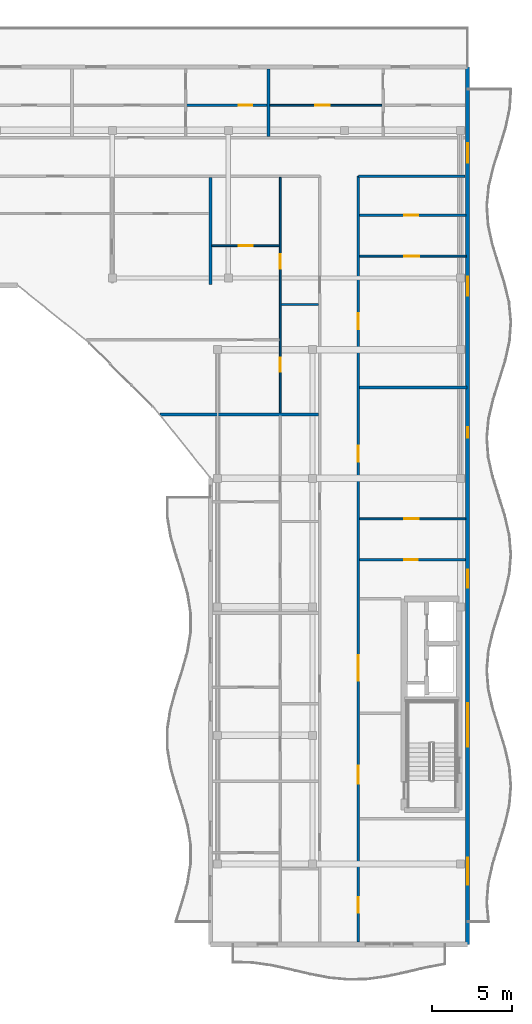
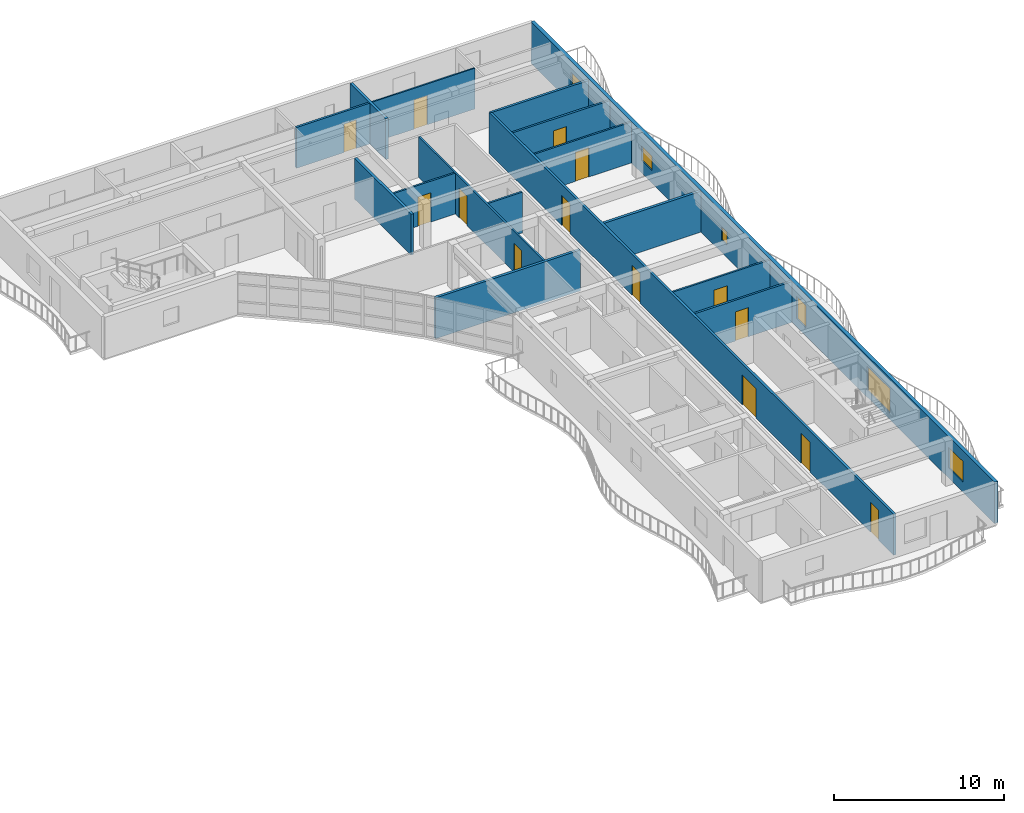
# One storey, part 27 of 39: 16 walls, 15 doors, 5 windows, 20 openings.
"""IFC4 building model written with IfcOpenShell, lengths in metres."""

from ifc_helpers import new_model, si_unit, direction, frame, frame_2d, origin, place, context, subcontext, project, spatial, rectangle, extrude, material, layer, layer_set, type_object, element, fill, save


model = new_model("IFC4")

# Units and contexts
model_context = context("Model", 3, precision=1e-05, world=origin(), true_north=direction((0.0, 1.0)))
body_context = subcontext(model_context, "Body", "Model", "MODEL_VIEW")
ifc_project = project(units=[si_unit("LENGTHUNIT", "METRE"), si_unit("AREAUNIT", "SQUARE_METRE"), si_unit("VOLUMEUNIT", "CUBIC_METRE"), si_unit("PLANEANGLEUNIT", "RADIAN"), si_unit("MASSUNIT", "GRAM", prefix="KILO")], contexts=[model_context])

# Site, building, storey
site_placement = place(None, origin())
site = spatial("IfcSite", under=ifc_project, at=site_placement, CompositionType="ELEMENT")
building_placement = place(site_placement, origin())
building = spatial("IfcBuilding", under=site, at=building_placement, Name="Keldmere Railside Commons", CompositionType="ELEMENT")
storey_placement = place(building_placement, frame((0.0, 0.0, 32.9599609375)))
storey = spatial("IfcBuildingStorey", under=building, at=storey_placement, Name="L10", CompositionType="ELEMENT", Elevation=32.9599609375)

# Walls
ifc_material_1 = material(Name="Acoustic Gypsum Board Partition", Category="gypsum")
ifc_layer_1 = layer(ifc_material_1, 0.179931640625, Name="Acoustic Demising Partition 180")
ifc_layer_set_1 = layer_set([ifc_layer_1], Name="Acoustic Gypsum Board Partition")
wall_type_1 = type_object("IfcWallType", Name="Acoustic Demising Partition 180", PredefinedType="PARTITIONING", material=ifc_layer_set_1)
wall_1_placement = place(storey_placement, frame((168.0, 100.050048828125, 0.0), z_axis=(0.0, 0.0, 1.0), x_axis=(0.0, 1.0, 0.0)))
element("IfcWall", 1, at=wall_1_placement, inside=storey, type_object=wall_type_1, Name="IW-1 IW-L10-1812", PredefinedType="PARTITIONING", context=body_context, shape_type="SweptSolid", body=[
    extrude(rectangle(XDim=6.669921875, YDim=0.179931640625, at=frame_2d((3.3349609375, 0.0))), origin(), (0.0, 0.0, 1.0), 2.93505859375),
])
wall_2_placement = place(storey_placement, frame((164.8583984375, 91.97998046875, 0.0), z_axis=(0.0, 0.0, 1.0), x_axis=(1.0, 0.0, 0.0)))
element("IfcWall", 2, at=wall_2_placement, inside=storey, type_object=wall_type_1, Name="IW-1 IW-L10-1817", PredefinedType="PARTITIONING", context=body_context, shape_type="SweptSolid", body=[
    extrude(rectangle(XDim=9.861572265625, YDim=0.179931640625, at=frame_2d((4.9306640625, 0.0))), origin(), (0.0, 0.0, 1.0), 2.93505859375),
])
wall_3_placement = place(storey_placement, frame((171.610107421875, 109.280029296875, 0.0), z_axis=(0.0, 0.0, 1.0), x_axis=(0.0, 1.0, 0.0)))
element("IfcWall", 3, at=wall_3_placement, inside=storey, type_object=wall_type_1, Name="IW-1 IW-L10-1832", PredefinedType="PARTITIONING", context=body_context, shape_type="SweptSolid", body=[
    extrude(rectangle(XDim=4.199951171875, YDim=0.179931640625, at=frame_2d((2.10009765625, 0.0))), origin(), (0.0, 0.0, 1.0), 2.93505859375),
])
wall_4_placement = place(storey_placement, frame((177.280029296875, 93.64990234375, 0.0), z_axis=(0.0, 0.0, 1.0), x_axis=(1.0, 0.0, 0.0)))
element("IfcWall", 4, at=wall_4_placement, inside=storey, type_object=wall_type_1, Name="IW-1 IW-L10-1845", PredefinedType="PARTITIONING", context=body_context, shape_type="SweptSolid", body=[
    extrude(rectangle(XDim=6.679931640625, YDim=0.179931640625, at=frame_2d((3.33984375, 0.0))), origin(), (0.0, 0.0, 1.0), 2.93505859375),
])

# Wall, openings, doors
ifc_layer_2 = layer(ifc_material_1, 0.1201171875, Name="Apartment Interior Partition 120")
ifc_layer_set_2 = layer_set([ifc_layer_2], Name="Acoustic Gypsum Board Partition")
wall_type_2 = type_object("IfcWallType", Name="Apartment Interior Partition 120", PredefinedType="PARTITIONING", material=ifc_layer_set_2)
wall_5_placement = place(storey_placement, frame((172.340087890625, 92.070068359375, 0.0), z_axis=(0.0, 0.0, 1.0), x_axis=(0.0, 1.0, 0.0)))
wall_5 = element("IfcWall", 5, at=wall_5_placement, inside=storey, type_object=wall_type_2, Name="IW-4 IW-L10-1827", PredefinedType="PARTITIONING", context=body_context, shape_type="SweptSolid", body=[
    extrude(rectangle(XDim=14.64990234375, YDim=0.1201171875, at=frame_2d((7.324951171875, 0.0))), origin(), (0.0, 0.0, 1.0), 2.93505859375),
])
opening_1_placement = place(wall_5_placement, frame((2.561279296875, 0.0, 0.0)))
opening_1 = element("IfcOpeningElement", 6, at=opening_1_placement, cuts=wall_5, Name="Opening ID-04", PredefinedType="OPENING", context=body_context, shape_type="SweptSolid", body=[
    extrude(rectangle(XDim=0.860107421875, YDim=2.10009765625, at=frame_2d((0.43017578125, 1.050048828125))), frame((0.0, 0.070068359375, 0.0), z_axis=(0.0, -1.0, 0.0), x_axis=(1.0, 0.0, 0.0)), (0.0, 0.0, 1.0), 0.14013671875),
])
opening_2_placement = place(wall_5_placement, frame((8.954833984375, 0.0, 0.0)))
opening_2 = element("IfcOpeningElement", 7, at=opening_2_placement, cuts=wall_5, Name="Opening ID-03", PredefinedType="OPENING", context=body_context, shape_type="SweptSolid", body=[
    extrude(rectangle(XDim=0.919921875, YDim=2.10009765625, at=frame_2d((0.4599609375, 1.050048828125))), frame((0.0, 0.070068359375, 0.0), z_axis=(0.0, -1.0, 0.0), x_axis=(1.0, 0.0, 0.0)), (0.0, 0.0, 1.0), 0.14013671875),
])
ifc_material_2 = material(Name="Engineered Oak Timber", Category="wood")
door_type_1 = type_object("IfcDoorType", Name="Apartment Bathroom Door 860x2100", OperationType="NOTDEFINED", PredefinedType="DOOR", material=ifc_material_2)
door_1_placement = place(opening_1_placement, origin())
door_1 = element("IfcDoor", 8, at=door_1_placement, inside=storey, type_object=door_type_1, Name="ID-04 IDR-L10-1668", OperationType="SINGLE_SWING_RIGHT", OverallHeight=2.10009765625, OverallWidth=0.860107421875, PredefinedType="DOOR", context=body_context, shape_type="SweptSolid", body=[
    extrude(rectangle(XDim=0.860107421875, YDim=2.10009765625, at=frame_2d((0.43017578125, 1.050048828125))), frame((0.0, 0.02490234375, 0.0), z_axis=(0.0, -1.0, 0.0), x_axis=(1.0, 0.0, 0.0)), (0.0, 0.0, 1.0), 0.050048828125),
])
fill(opening_1, door_1)
door_type_2 = type_object("IfcDoorType", Name="Kitchen Pocket-Frame Swing Door 920x2100", OperationType="NOTDEFINED", PredefinedType="DOOR", material=ifc_material_2)
door_2_placement = place(opening_2_placement, origin())
door_2 = element("IfcDoor", 9, at=door_2_placement, inside=storey, type_object=door_type_2, Name="ID-03 IDR-L10-1669", OperationType="SINGLE_SWING_LEFT", OverallHeight=2.10009765625, OverallWidth=0.919921875, PredefinedType="DOOR", context=body_context, shape_type="SweptSolid", body=[
    extrude(rectangle(XDim=0.919921875, YDim=2.10009765625, at=frame_2d((0.4599609375, 1.050048828125))), frame((0.0, 0.02490234375, 0.0), z_axis=(0.0, -1.0, 0.0), x_axis=(1.0, 0.0, 0.0)), (0.0, 0.0, 1.0), 0.050048828125),
])
fill(opening_2, door_2)

# Wall, opening, door
wall_6_placement = place(storey_placement, frame((168.090087890625, 102.469970703125, 0.0), z_axis=(0.0, 0.0, 1.0), x_axis=(1.0, 0.0, 0.0)))
wall_6 = element("IfcWall", 10, at=wall_6_placement, inside=storey, type_object=wall_type_2, Name="IW-4 IW-L10-1830", PredefinedType="PARTITIONING", context=body_context, shape_type="SweptSolid", body=[
    extrude(rectangle(XDim=4.18994140625, YDim=0.1201171875, at=frame_2d((2.094970703125, 0.0))), origin(), (0.0, 0.0, 1.0), 2.93505859375),
])
opening_3_placement = place(wall_6_placement, frame((1.655029296875, 0.0, 0.0)))
opening_3 = element("IfcOpeningElement", 11, at=opening_3_placement, cuts=wall_6, Name="Opening ID-02", PredefinedType="OPENING", context=body_context, shape_type="SweptSolid", body=[
    extrude(rectangle(XDim=0.8798828125, YDim=2.10009765625, at=frame_2d((0.43994140625, 1.050048828125))), frame((0.0, 0.070068359375, 0.0), z_axis=(0.0, -1.0, 0.0), x_axis=(1.0, 0.0, 0.0)), (0.0, 0.0, 1.0), 0.14013671875),
])
door_type_3 = type_object("IfcDoorType", Name="Secondary Bedroom Door 880x2100", OperationType="NOTDEFINED", PredefinedType="DOOR", material=ifc_material_2)
door_3_placement = place(opening_3_placement, origin())
door_3 = element("IfcDoor", 12, at=door_3_placement, inside=storey, type_object=door_type_3, Name="ID-02 IDR-L10-1672", OperationType="SINGLE_SWING_RIGHT", OverallHeight=2.10009765625, OverallWidth=0.8798828125, PredefinedType="DOOR", context=body_context, shape_type="SweptSolid", body=[
    extrude(rectangle(XDim=0.8798828125, YDim=2.10009765625, at=frame_2d((0.43994140625, 1.050048828125))), frame((0.0, 0.02490234375, 0.0), z_axis=(0.0, -1.0, 0.0), x_axis=(1.0, 0.0, 0.0)), (0.0, 0.0, 1.0), 0.050048828125),
])
fill(opening_3, door_3)

wall_7_placement = place(storey_placement, frame((177.280029296875, 85.47998046875, 0.0), z_axis=(0.0, 0.0, 1.0), x_axis=(1.0, 0.0, 0.0)))
wall_7 = element("IfcWall", 13, at=wall_7_placement, inside=storey, type_object=wall_type_2, Name="IW-4 IW-L10-1847", PredefinedType="PARTITIONING", context=body_context, shape_type="SweptSolid", body=[
    extrude(rectangle(XDim=6.599853515625, YDim=0.1201171875, at=frame_2d((3.2998046875, 0.0))), origin(), (0.0, 0.0, 1.0), 2.93505859375),
])
opening_4_placement = place(wall_7_placement, frame((2.77197265625, 0.0, 0.0)))
opening_4 = element("IfcOpeningElement", 14, at=opening_4_placement, cuts=wall_7, Name="Opening ID-03", PredefinedType="OPENING", context=body_context, shape_type="SweptSolid", body=[
    extrude(rectangle(XDim=0.919921875, YDim=2.10009765625, at=frame_2d((0.4599609375, 1.050048828125))), frame((0.0, 0.070068359375, 0.0), z_axis=(0.0, -1.0, 0.0), x_axis=(1.0, 0.0, 0.0)), (0.0, 0.0, 1.0), 0.14013671875),
])
door_4_placement = place(opening_4_placement, origin())
door_4 = element("IfcDoor", 15, at=door_4_placement, inside=storey, type_object=door_type_2, Name="ID-03 IDR-L10-1693", OperationType="SINGLE_SWING_LEFT", OverallHeight=2.10009765625, OverallWidth=0.919921875, PredefinedType="DOOR", context=body_context, shape_type="SweptSolid", body=[
    extrude(rectangle(XDim=0.919921875, YDim=2.10009765625, at=frame_2d((0.4599609375, 1.050048828125))), frame((0.0, 0.02490234375, 0.0), z_axis=(0.0, -1.0, 0.0), x_axis=(1.0, 0.0, 0.0)), (0.0, 0.0, 1.0), 0.050048828125),
])
fill(opening_4, door_4)

wall_8_placement = place(storey_placement, frame((177.280029296875, 101.820068359375, 0.0), z_axis=(0.0, 0.0, 1.0), x_axis=(1.0, 0.0, 0.0)))
wall_8 = element("IfcWall", 16, at=wall_8_placement, inside=storey, type_object=wall_type_2, Name="IW-4 IW-L10-1848", PredefinedType="PARTITIONING", context=body_context, shape_type="SweptSolid", body=[
    extrude(rectangle(XDim=6.6298828125, YDim=0.1201171875, at=frame_2d((3.31494140625, 0.0))), origin(), (0.0, 0.0, 1.0), 2.93505859375),
])
opening_5_placement = place(wall_8_placement, frame((2.78466796875, 0.0, 0.0)))
opening_5 = element("IfcOpeningElement", 17, at=opening_5_placement, cuts=wall_8, Name="Opening ID-03", PredefinedType="OPENING", context=body_context, shape_type="SweptSolid", body=[
    extrude(rectangle(XDim=0.919921875, YDim=2.10009765625, at=frame_2d((0.4599609375, 1.050048828125))), frame((0.0, 0.070068359375, 0.0), z_axis=(0.0, -1.0, 0.0), x_axis=(1.0, 0.0, 0.0)), (0.0, 0.0, 1.0), 0.14013671875),
])
door_5_placement = place(opening_5_placement, origin())
door_5 = element("IfcDoor", 18, at=door_5_placement, inside=storey, type_object=door_type_2, Name="ID-03 IDR-L10-1696", OperationType="SINGLE_SWING_RIGHT", OverallHeight=2.10009765625, OverallWidth=0.919921875, PredefinedType="DOOR", context=body_context, shape_type="SweptSolid", body=[
    extrude(rectangle(XDim=0.919921875, YDim=2.10009765625, at=frame_2d((0.4599609375, 1.050048828125))), frame((0.0, 0.02490234375, 0.0), z_axis=(0.0, -1.0, 0.0), x_axis=(1.0, 0.0, 0.0)), (0.0, 0.0, 1.0), 0.050048828125),
])
fill(opening_5, door_5)

ifc_layer_3 = layer(ifc_material_1, 0.10009765625, Name="Closet Light Partition 100")
ifc_layer_set_3 = layer_set([ifc_layer_3], Name="Acoustic Gypsum Board Partition")
wall_type_3 = type_object("IfcWallType", Name="Closet Light Partition 100", PredefinedType="PARTITIONING", material=ifc_layer_set_3)
wall_9_placement = place(storey_placement, frame((171.699951171875, 111.2099609375, 0.0), z_axis=(0.0, 0.0, 1.0), x_axis=(1.0, 0.0, 0.0)))
wall_9 = element("IfcWall", 19, at=wall_9_placement, inside=storey, type_object=wall_type_3, Name="IW-6 IW-L10-1841", PredefinedType="PARTITIONING", context=body_context, shape_type="SweptSolid", body=[
    extrude(rectangle(XDim=6.97998046875, YDim=0.10009765625, at=frame_2d((3.489990234375, 0.0))), origin(), (0.0, 0.0, 1.0), 2.93505859375),
])
opening_6_placement = place(wall_9_placement, frame((2.81591796875, 0.0, 0.0)))
opening_6 = element("IfcOpeningElement", 20, at=opening_6_placement, cuts=wall_9, Name="Opening ID-03", PredefinedType="OPENING", context=body_context, shape_type="SweptSolid", body=[
    extrude(rectangle(XDim=0.919921875, YDim=2.10009765625, at=frame_2d((0.4599609375, 1.050048828125))), frame((0.0, 0.06005859375, 0.0), z_axis=(0.0, -1.0, 0.0), x_axis=(1.0, 0.0, 0.0)), (0.0, 0.0, 1.0), 0.1201171875),
])
door_6_placement = place(opening_6_placement, origin())
door_6 = element("IfcDoor", 21, at=door_6_placement, inside=storey, type_object=door_type_2, Name="ID-03 IDR-L10-1683", OperationType="SINGLE_SWING_LEFT", OverallHeight=2.10009765625, OverallWidth=0.919921875, PredefinedType="DOOR", context=body_context, shape_type="SweptSolid", body=[
    extrude(rectangle(XDim=0.919921875, YDim=2.10009765625, at=frame_2d((0.4599609375, 1.050048828125))), frame((0.0, 0.02490234375, 0.0), z_axis=(0.0, -1.0, 0.0), x_axis=(1.0, 0.0, 0.0)), (0.0, 0.0, 1.0), 0.050048828125),
])
fill(opening_6, door_6)

# Wall, openings, doors
ifc_layer_4 = layer(ifc_material_1, 0.159912109375, Name="Corridor Fire Partition 160")
ifc_layer_set_4 = layer_set([ifc_layer_4], Name="Acoustic Gypsum Board Partition")
wall_type_4 = type_object("IfcWallType", Name="Corridor Fire Partition 160", PredefinedType="PARTITIONING", material=ifc_layer_set_4)
wall_10_placement = place(storey_placement, frame((177.199951171875, 59.159912109375, 0.0), z_axis=(0.0, 0.0, 1.0), x_axis=(0.0, 1.0, 0.0)))
wall_10 = element("IfcWall", 22, at=wall_10_placement, inside=storey, type_object=wall_type_4, Name="IW-2 IW-L10-1808", PredefinedType="PARTITIONING", context=body_context, shape_type="SweptSolid", body=[
    extrude(rectangle(XDim=47.64013671875, YDim=0.159912109375, at=frame_2d((23.820068359375, 0.0))), origin(), (0.0, 0.0, 1.0), 2.93505859375),
])
opening_7_placement = place(wall_10_placement, frame((9.840087890625, 0.0, 0.0)))
opening_7 = element("IfcOpeningElement", 23, at=opening_7_placement, cuts=wall_10, Name="Opening FD-2", PredefinedType="OPENING", context=body_context, shape_type="SweptSolid", body=[
    extrude(rectangle(XDim=1.10009765625, YDim=2.14990234375, at=frame_2d((0.550048828125, 1.074951171875))), frame((0.0, 0.08984375, 0.0), z_axis=(0.0, -1.0, 0.0), x_axis=(1.0, 0.0, 0.0)), (0.0, 0.0, 1.0), 0.179931640625),
])
opening_8_placement = place(wall_10_placement, frame((16.239990234375, 0.0, 0.0)))
opening_8 = element("IfcOpeningElement", 24, at=opening_8_placement, cuts=wall_10, Name="Opening FD-4", PredefinedType="OPENING", context=body_context, shape_type="SweptSolid", body=[
    extrude(rectangle(XDim=1.60009765625, YDim=2.14990234375, at=frame_2d((0.800048828125, 1.074951171875))), frame((0.0, 0.08984375, 0.0), z_axis=(0.0, -1.0, 0.0), x_axis=(1.0, 0.0, 0.0)), (0.0, 0.0, 1.0), 0.179931640625),
])
opening_9_placement = place(wall_10_placement, frame((1.800048828125, 0.0, 0.0)))
opening_9 = element("IfcOpeningElement", 25, at=opening_9_placement, cuts=wall_10, Name="Opening ID-08", PredefinedType="OPENING", context=body_context, shape_type="SweptSolid", body=[
    extrude(rectangle(XDim=0.9599609375, YDim=2.14990234375, at=frame_2d((0.47998046875, 1.074951171875))), frame((0.0, 0.08984375, 0.0), z_axis=(0.0, -1.0, 0.0), x_axis=(1.0, 0.0, 0.0)), (0.0, 0.0, 1.0), 0.179931640625),
])
opening_10_placement = place(wall_10_placement, frame((29.8701171875, 0.0, 0.0)))
opening_10 = element("IfcOpeningElement", 26, at=opening_10_placement, cuts=wall_10, Name="Opening FD-7", PredefinedType="OPENING", context=body_context, shape_type="SweptSolid", body=[
    extrude(rectangle(XDim=0.97998046875, YDim=2.14990234375, at=frame_2d((0.489990234375, 1.074951171875))), frame((0.0, 0.08984375, 0.0), z_axis=(0.0, -1.0, 0.0), x_axis=(1.0, 0.0, 0.0)), (0.0, 0.0, 1.0), 0.179931640625),
])
opening_11_placement = place(wall_10_placement, frame((38.1298828125, 0.0, 0.0)))
opening_11 = element("IfcOpeningElement", 27, at=opening_11_placement, cuts=wall_10, Name="Opening FD-7", PredefinedType="OPENING", context=body_context, shape_type="SweptSolid", body=[
    extrude(rectangle(XDim=0.97998046875, YDim=2.14990234375, at=frame_2d((0.489990234375, 1.074951171875))), frame((0.0, 0.08984375, 0.0), z_axis=(0.0, -1.0, 0.0), x_axis=(1.0, 0.0, 0.0)), (0.0, 0.0, 1.0), 0.179931640625),
])
door_type_4 = type_object("IfcDoorType", Name="Apartment Entrance Acoustic Fire Door 980x2150", OperationType="NOTDEFINED", PredefinedType="DOOR", material=ifc_material_2)
door_7_placement = place(opening_10_placement, origin())
door_7 = element("IfcDoor", 28, at=door_7_placement, inside=storey, type_object=door_type_4, Name="FD-7 IDR-L10-1694", OperationType="SINGLE_SWING_RIGHT", OverallHeight=2.14990234375, OverallWidth=0.97998046875, PredefinedType="DOOR", context=body_context, shape_type="SweptSolid", body=[
    extrude(rectangle(XDim=0.97998046875, YDim=2.14990234375, at=frame_2d((0.489990234375, 1.074951171875))), frame((0.0, 0.02490234375, 0.0), z_axis=(0.0, -1.0, 0.0), x_axis=(1.0, 0.0, 0.0)), (0.0, 0.0, 1.0), 0.050048828125),
])
fill(opening_10, door_7)
door_8_placement = place(opening_11_placement, origin())
door_8 = element("IfcDoor", 29, at=door_8_placement, inside=storey, type_object=door_type_4, Name="FD-7 IDR-L10-1697", OperationType="SINGLE_SWING_LEFT", OverallHeight=2.14990234375, OverallWidth=0.97998046875, PredefinedType="DOOR", context=body_context, shape_type="SweptSolid", body=[
    extrude(rectangle(XDim=0.97998046875, YDim=2.14990234375, at=frame_2d((0.489990234375, 1.074951171875))), frame((0.0, 0.02490234375, 0.0), z_axis=(0.0, -1.0, 0.0), x_axis=(1.0, 0.0, 0.0)), (0.0, 0.0, 1.0), 0.050048828125),
])
fill(opening_11, door_8)
ifc_material_3 = material(Name="Steel F-24 (S235)", Category="steel")
door_type_5 = type_object("IfcDoorType", Name="Corridor Cross-Compartment Double Fire Door 1600x2150", OperationType="DOUBLE_DOOR_SINGLE_SWING", PredefinedType="DOOR", material=ifc_material_3)
door_9_placement = place(opening_8_placement, origin())
door_9 = element("IfcDoor", 30, at=door_9_placement, inside=storey, type_object=door_type_5, Name="FD-4 IDR-L10-1655", OperationType="DOUBLE_DOOR_SINGLE_SWING", OverallHeight=2.14990234375, OverallWidth=1.60009765625, PredefinedType="DOOR", context=body_context, shape_type="SweptSolid", body=[
    extrude(rectangle(XDim=1.60009765625, YDim=2.14990234375, at=frame_2d((0.800048828125, 1.074951171875))), frame((0.0, 0.02490234375, 0.0), z_axis=(0.0, -1.0, 0.0), x_axis=(1.0, 0.0, 0.0)), (0.0, 0.0, 1.0), 0.050048828125),
])
fill(opening_8, door_9)
door_type_6 = type_object("IfcDoorType", Name="Firefighting Lobby Fire Door 1100x2150", OperationType="NOTDEFINED", PredefinedType="DOOR", material=ifc_material_3)
door_10_placement = place(opening_7_placement, origin())
door_10 = element("IfcDoor", 31, at=door_10_placement, inside=storey, type_object=door_type_6, Name="FD-2 IDR-L10-1654", OperationType="SINGLE_SWING_RIGHT", OverallHeight=2.14990234375, OverallWidth=1.10009765625, PredefinedType="DOOR", context=body_context, shape_type="SweptSolid", body=[
    extrude(rectangle(XDim=1.10009765625, YDim=2.14990234375, at=frame_2d((0.550048828125, 1.074951171875))), frame((0.0, 0.02490234375, 0.0), z_axis=(0.0, -1.0, 0.0), x_axis=(1.0, 0.0, 0.0)), (0.0, 0.0, 1.0), 0.050048828125),
])
fill(opening_7, door_10)
door_type_7 = type_object("IfcDoorType", Name="Study & Meeting Room Door 960x2150", OperationType="NOTDEFINED", PredefinedType="DOOR", material=ifc_material_2)
door_11_placement = place(opening_9_placement, origin())
door_11 = element("IfcDoor", 32, at=door_11_placement, inside=storey, type_object=door_type_7, Name="ID-08 IDR-L10-1691", OperationType="SINGLE_SWING_LEFT", OverallHeight=2.14990234375, OverallWidth=0.9599609375, PredefinedType="DOOR", context=body_context, shape_type="SweptSolid", body=[
    extrude(rectangle(XDim=0.9599609375, YDim=2.14990234375, at=frame_2d((0.47998046875, 1.074951171875))), frame((0.0, 0.02490234375, 0.0), z_axis=(0.0, -1.0, 0.0), x_axis=(1.0, 0.0, 0.0)), (0.0, 0.0, 1.0), 0.050048828125),
])
fill(opening_9, door_11)

# Wall
wall_11_placement = place(storey_placement, frame((177.199951171875, 106.800048828125, 0.0), z_axis=(0.0, 0.0, 1.0), x_axis=(1.0, 0.0, 0.0)))
element("IfcWall", 33, at=wall_11_placement, inside=storey, type_object=wall_type_4, Name="IW-2 IW-L10-1810", PredefinedType="PARTITIONING", context=body_context, shape_type="SweptSolid", body=[
    extrude(rectangle(XDim=6.64013671875, YDim=0.159912109375, at=frame_2d((3.320068359375, 0.0))), origin(), (0.0, 0.0, 1.0), 2.93505859375),
])

# Wall, openings, windows, door
ifc_material_4 = material(Name="Architectural Precast Concrete H-35 (C35/45)", Category="concrete")
ifc_layer_5 = layer(ifc_material_4, 0.239990234375, Name="Sand-Ochre Precast Cavity Wall 240")
ifc_layer_set_5 = layer_set([ifc_layer_5], Name="Architectural Precast Concrete H-35 (C35/45)")
wall_type_5 = type_object("IfcWallType", Name="Sand-Ochre Precast Cavity Wall 240", PredefinedType="SOLIDWALL", material=ifc_layer_set_5)
wall_12_placement = place(storey_placement, frame((184.0, 113.60009765625, 0.0), z_axis=(0.0, 0.0, 1.0), x_axis=(0.0, -1.0, 0.0)))
wall_12 = element("IfcWall", 34, at=wall_12_placement, inside=storey, type_object=wall_type_5, Name="EW-2 EXTA-L10-0946", PredefinedType="SOLIDWALL", context=body_context, shape_type="SweptSolid", body=[
    extrude(rectangle(XDim=54.60009765625, YDim=0.239990234375, at=frame_2d((27.300048828125, 0.0))), origin(), (0.0, 0.0, 1.0), 2.97998046875),
])
opening_12_placement = place(wall_12_placement, frame((4.75, 0.0, 0.0)))
opening_12 = element("IfcOpeningElement", 35, at=opening_12_placement, cuts=wall_12, Name="Opening BD-01", PredefinedType="OPENING", context=body_context, shape_type="SweptSolid", body=[
    extrude(rectangle(XDim=1.199951171875, YDim=2.199951171875, at=frame_2d((0.60009765625, 1.10009765625))), frame((0.0, 0.1298828125, 0.0), z_axis=(0.0, -1.0, 0.0), x_axis=(1.0, 0.0, 0.0)), (0.0, 0.0, 1.0), 0.260009765625),
])
opening_13_placement = place(wall_12_placement, frame((13.050048828125, 0.0, 0.89990234375)))
opening_13 = element("IfcOpeningElement", 36, at=opening_13_placement, cuts=wall_12, Name="Opening WN-14", PredefinedType="OPENING", context=body_context, shape_type="SweptSolid", body=[
    extrude(rectangle(XDim=1.199951171875, YDim=1.050048828125, at=frame_2d((0.60009765625, 0.52490234375))), frame((0.0, 0.1298828125, 0.0), z_axis=(0.0, -1.0, 0.0), x_axis=(1.0, 0.0, 0.0)), (0.0, 0.0, 1.0), 0.260009765625),
])
opening_14_placement = place(wall_12_placement, frame((22.425048828125, 0.0, 0.89990234375)))
opening_14 = element("IfcOpeningElement", 37, at=opening_14_placement, cuts=wall_12, Name="Opening WN-15", PredefinedType="OPENING", context=body_context, shape_type="SweptSolid", body=[
    extrude(rectangle(XDim=0.64990234375, YDim=0.949951171875, at=frame_2d((0.324951171875, 0.47509765625))), frame((0.0, 0.1298828125, 0.0), z_axis=(0.0, -1.0, 0.0), x_axis=(1.0, 0.0, 0.0)), (0.0, 0.0, 1.0), 0.260009765625),
])
opening_15_placement = place(wall_12_placement, frame((31.300048828125, 0.0, 0.6201171875)))
opening_15 = element("IfcOpeningElement", 38, at=opening_15_placement, cuts=wall_12, Name="Opening WN-16", PredefinedType="OPENING", context=body_context, shape_type="SweptSolid", body=[
    extrude(rectangle(XDim=1.10009765625, YDim=1.60009765625, at=frame_2d((0.550048828125, 0.800048828125))), frame((0.0, 0.1298828125, 0.0), z_axis=(0.0, -1.0, 0.0), x_axis=(1.0, 0.0, 0.0)), (0.0, 0.0, 1.0), 0.260009765625),
])
opening_16_placement = place(wall_12_placement, frame((39.60009765625, 0.0, 0.469970703125)))
opening_16 = element("IfcOpeningElement", 39, at=opening_16_placement, cuts=wall_12, Name="Opening WN-19", PredefinedType="OPENING", context=body_context, shape_type="SweptSolid", body=[
    extrude(rectangle(XDim=2.699951171875, YDim=1.75, at=frame_2d((1.35009765625, 0.875))), frame((0.0, 0.1298828125, 0.0), z_axis=(0.0, -1.0, 0.0), x_axis=(1.0, 0.0, 0.0)), (0.0, 0.0, 1.0), 0.260009765625),
])
opening_17_placement = place(wall_12_placement, frame((49.199951171875, 0.0, 0.719970703125)))
opening_17 = element("IfcOpeningElement", 40, at=opening_17_placement, cuts=wall_12, Name="Opening WN-20", PredefinedType="OPENING", context=body_context, shape_type="SweptSolid", body=[
    extrude(rectangle(XDim=1.699951171875, YDim=1.5, at=frame_2d((0.85009765625, 0.75))), frame((0.0, 0.1298828125, 0.0), z_axis=(0.0, -1.0, 0.0), x_axis=(1.0, 0.0, 0.0)), (0.0, 0.0, 1.0), 0.260009765625),
])
ifc_material_5 = material(Name="Low-E Insulated Double Glazing", Category="glass")
window_type_1 = type_object("IfcWindowType", Name="Apartment Kitchen Ribbon Window 1200x1050", PartitioningType="SINGLE_PANEL", PredefinedType="WINDOW", material=ifc_material_5)
window_1_placement = place(opening_13_placement, origin())
window_1 = element("IfcWindow", 41, at=window_1_placement, inside=storey, type_object=window_type_1, Name="WN-14 WIN-L10-0758", OverallHeight=1.050048828125, OverallWidth=1.199951171875, PartitioningType="SINGLE_PANEL", PredefinedType="WINDOW", context=body_context, shape_type="SweptSolid", body=[
    extrude(rectangle(XDim=1.199951171875, YDim=1.050048828125, at=frame_2d((0.60009765625, 0.52490234375))), frame((0.0, 0.030029296875, 0.0), z_axis=(0.0, -1.0, 0.0), x_axis=(1.0, 0.0, 0.0)), (0.0, 0.0, 1.0), 0.06005859375),
])
fill(opening_13, window_1)
ifc_material_6 = material(Name="Thermally Broken Aluminium", Category="aluminium")
door_type_8 = type_object("IfcDoorType", Name="Apartment Living Wave-Balcony Glazed Door 1200x2200", OperationType="NOTDEFINED", PredefinedType="DOOR", material=ifc_material_6)
door_12_placement = place(opening_12_placement, origin())
door_12 = element("IfcDoor", 42, at=door_12_placement, inside=storey, type_object=door_type_8, Name="BD-01 DR-L10-0275", OperationType="SINGLE_SWING_LEFT", OverallHeight=2.199951171875, OverallWidth=1.199951171875, PredefinedType="DOOR", context=body_context, shape_type="SweptSolid", body=[
    extrude(rectangle(XDim=1.199951171875, YDim=2.199951171875, at=frame_2d((0.60009765625, 1.10009765625))), frame((0.0, 0.02490234375, 0.0), z_axis=(0.0, -1.0, 0.0), x_axis=(1.0, 0.0, 0.0)), (0.0, 0.0, 1.0), 0.050048828125),
])
fill(opening_12, door_12)
window_type_2 = type_object("IfcWindowType", Name="Corridor End Daylight Window 1100x1600", PartitioningType="SINGLE_PANEL", PredefinedType="WINDOW", material=ifc_material_5)
window_2_placement = place(opening_15_placement, origin())
window_2 = element("IfcWindow", 43, at=window_2_placement, inside=storey, type_object=window_type_2, Name="WN-16 WIN-L10-0760", OverallHeight=1.60009765625, OverallWidth=1.10009765625, PartitioningType="SINGLE_PANEL", PredefinedType="WINDOW", context=body_context, shape_type="SweptSolid", body=[
    extrude(rectangle(XDim=1.10009765625, YDim=1.60009765625, at=frame_2d((0.550048828125, 0.800048828125))), frame((0.0, 0.030029296875, 0.0), z_axis=(0.0, -1.0, 0.0), x_axis=(1.0, 0.0, 0.0)), (0.0, 0.0, 1.0), 0.06005859375),
])
fill(opening_15, window_2)
window_type_3 = type_object("IfcWindowType", Name="Exterior Bathroom Frosted Window 650x950", PartitioningType="SINGLE_PANEL", PredefinedType="WINDOW", material=ifc_material_5)
window_3_placement = place(opening_14_placement, origin())
window_3 = element("IfcWindow", 44, at=window_3_placement, inside=storey, type_object=window_type_3, Name="WN-15 WIN-L10-0759", OverallHeight=0.949951171875, OverallWidth=0.64990234375, PartitioningType="SINGLE_PANEL", PredefinedType="WINDOW", context=body_context, shape_type="SweptSolid", body=[
    extrude(rectangle(XDim=0.64990234375, YDim=0.949951171875, at=frame_2d((0.324951171875, 0.47509765625))), frame((0.0, 0.030029296875, 0.0), z_axis=(0.0, -1.0, 0.0), x_axis=(1.0, 0.0, 0.0)), (0.0, 0.0, 1.0), 0.06005859375),
])
fill(opening_14, window_3)
window_type_4 = type_object("IfcWindowType", Name="Resident Lounge Panorama Window 2700x1750", PartitioningType="SINGLE_PANEL", PredefinedType="WINDOW", material=ifc_material_5)
window_4_placement = place(opening_16_placement, origin())
window_4 = element("IfcWindow", 45, at=window_4_placement, inside=storey, type_object=window_type_4, Name="WN-19 WIN-L10-0761", OverallHeight=1.75, OverallWidth=2.699951171875, PartitioningType="SINGLE_PANEL", PredefinedType="WINDOW", context=body_context, shape_type="SweptSolid", body=[
    extrude(rectangle(XDim=2.699951171875, YDim=1.75, at=frame_2d((1.35009765625, 0.875))), frame((0.0, 0.030029296875, 0.0), z_axis=(0.0, -1.0, 0.0), x_axis=(1.0, 0.0, 0.0)), (0.0, 0.0, 1.0), 0.06005859375),
])
fill(opening_16, window_4)
window_type_5 = type_object("IfcWindowType", Name="Study Room Quiet Casement Window 1700x1500", PartitioningType="SINGLE_PANEL", PredefinedType="WINDOW", material=ifc_material_5)
window_5_placement = place(opening_17_placement, origin())
window_5 = element("IfcWindow", 46, at=window_5_placement, inside=storey, type_object=window_type_5, Name="WN-20 WIN-L10-0762", OverallHeight=1.5, OverallWidth=1.699951171875, PartitioningType="SINGLE_PANEL", PredefinedType="WINDOW", context=body_context, shape_type="SweptSolid", body=[
    extrude(rectangle(XDim=1.699951171875, YDim=1.5, at=frame_2d((0.85009765625, 0.75))), frame((0.0, 0.030029296875, 0.0), z_axis=(0.0, -1.0, 0.0), x_axis=(1.0, 0.0, 0.0)), (0.0, 0.0, 1.0), 0.06005859375),
])
fill(opening_17, window_5)

# Wall
ifc_layer_6 = layer(ifc_material_1, 0.139892578125, Name="Wet-Room Sanitary Partition 140")
ifc_layer_set_6 = layer_set([ifc_layer_6], Name="Acoustic Gypsum Board Partition")
wall_type_6 = type_object("IfcWallType", Name="Wet-Room Sanitary Partition 140", PredefinedType="PARTITIONING", material=ifc_layer_set_6)
wall_13_placement = place(storey_placement, frame((172.39990234375, 98.81005859375, 0.0), z_axis=(0.0, 0.0, 1.0), x_axis=(1.0, 0.0, 0.0)))
element("IfcWall", 47, at=wall_13_placement, inside=storey, type_object=wall_type_6, Name="IW-5 IW-L10-1828", PredefinedType="PARTITIONING", context=body_context, shape_type="SweptSolid", body=[
    extrude(rectangle(XDim=2.320068359375, YDim=0.139892578125, at=frame_2d((1.16015625, 0.0))), origin(), (0.0, 0.0, 1.0), 2.93505859375),
])

# Wall, opening, door
wall_14_placement = place(storey_placement, frame((166.52001953125, 111.2099609375, 0.0), z_axis=(0.0, 0.0, 1.0), x_axis=(1.0, 0.0, 0.0)))
wall_14 = element("IfcWall", 48, at=wall_14_placement, inside=storey, type_object=wall_type_6, Name="IW-5 IW-L10-1837", PredefinedType="PARTITIONING", context=body_context, shape_type="SweptSolid", body=[
    extrude(rectangle(XDim=5.0, YDim=0.139892578125, at=frame_2d((2.5, 0.0))), origin(), (0.0, 0.0, 1.0), 2.93505859375),
])
opening_18_placement = place(wall_14_placement, frame((3.22412109375, 0.0, 0.0)))
opening_18 = element("IfcOpeningElement", 49, at=opening_18_placement, cuts=wall_14, Name="Opening ID-06", PredefinedType="OPENING", context=body_context, shape_type="SweptSolid", body=[
    extrude(rectangle(XDim=0.85009765625, YDim=2.050048828125, at=frame_2d((0.425048828125, 1.02490234375))), frame((0.0, 0.079833984375, 0.0), z_axis=(0.0, -1.0, 0.0), x_axis=(1.0, 0.0, 0.0)), (0.0, 0.0, 1.0), 0.159912109375),
])
door_type_9 = type_object("IfcDoorType", Name="Storage Closet Door 850x2050", OperationType="NOTDEFINED", PredefinedType="DOOR", material=ifc_material_2)
door_13_placement = place(opening_18_placement, origin())
door_13 = element("IfcDoor", 50, at=door_13_placement, inside=storey, type_object=door_type_9, Name="ID-06 IDR-L10-1681", OperationType="SINGLE_SWING_LEFT", OverallHeight=2.050048828125, OverallWidth=0.85009765625, PredefinedType="DOOR", context=body_context, shape_type="SweptSolid", body=[
    extrude(rectangle(XDim=0.85009765625, YDim=2.050048828125, at=frame_2d((0.425048828125, 1.02490234375))), frame((0.0, 0.02490234375, 0.0), z_axis=(0.0, -1.0, 0.0), x_axis=(1.0, 0.0, 0.0)), (0.0, 0.0, 1.0), 0.050048828125),
])
fill(opening_18, door_13)

wall_15_placement = place(storey_placement, frame((177.280029296875, 82.929931640625, 0.0), z_axis=(0.0, 0.0, 1.0), x_axis=(1.0, 0.0, 0.0)))
wall_15 = element("IfcWall", 51, at=wall_15_placement, inside=storey, type_object=wall_type_6, Name="IW-5 IW-L10-1846", PredefinedType="PARTITIONING", context=body_context, shape_type="SweptSolid", body=[
    extrude(rectangle(XDim=6.599853515625, YDim=0.139892578125, at=frame_2d((3.2998046875, 0.0))), origin(), (0.0, 0.0, 1.0), 2.93505859375),
])
opening_19_placement = place(wall_15_placement, frame((2.77197265625, 0.0, 0.0)))
opening_19 = element("IfcOpeningElement", 52, at=opening_19_placement, cuts=wall_15, Name="Opening ID-04", PredefinedType="OPENING", context=body_context, shape_type="SweptSolid", body=[
    extrude(rectangle(XDim=0.860107421875, YDim=2.10009765625, at=frame_2d((0.43017578125, 1.050048828125))), frame((0.0, 0.079833984375, 0.0), z_axis=(0.0, -1.0, 0.0), x_axis=(1.0, 0.0, 0.0)), (0.0, 0.0, 1.0), 0.159912109375),
])
door_14_placement = place(opening_19_placement, origin())
door_14 = element("IfcDoor", 53, at=door_14_placement, inside=storey, type_object=door_type_1, Name="ID-04 IDR-L10-1692", OperationType="SINGLE_SWING_RIGHT", OverallHeight=2.10009765625, OverallWidth=0.860107421875, PredefinedType="DOOR", context=body_context, shape_type="SweptSolid", body=[
    extrude(rectangle(XDim=0.860107421875, YDim=2.10009765625, at=frame_2d((0.43017578125, 1.050048828125))), frame((0.0, 0.02490234375, 0.0), z_axis=(0.0, -1.0, 0.0), x_axis=(1.0, 0.0, 0.0)), (0.0, 0.0, 1.0), 0.050048828125),
])
fill(opening_19, door_14)

wall_16_placement = place(storey_placement, frame((177.280029296875, 104.3701171875, 0.0), z_axis=(0.0, 0.0, 1.0), x_axis=(1.0, 0.0, 0.0)))
wall_16 = element("IfcWall", 54, at=wall_16_placement, inside=storey, type_object=wall_type_6, Name="IW-5 IW-L10-1849", PredefinedType="PARTITIONING", context=body_context, shape_type="SweptSolid", body=[
    extrude(rectangle(XDim=6.6298828125, YDim=0.139892578125, at=frame_2d((3.31494140625, 0.0))), origin(), (0.0, 0.0, 1.0), 2.93505859375),
])
opening_20_placement = place(wall_16_placement, frame((2.78466796875, 0.0, 0.0)))
opening_20 = element("IfcOpeningElement", 55, at=opening_20_placement, cuts=wall_16, Name="Opening ID-04", PredefinedType="OPENING", context=body_context, shape_type="SweptSolid", body=[
    extrude(rectangle(XDim=0.860107421875, YDim=2.10009765625, at=frame_2d((0.43017578125, 1.050048828125))), frame((0.0, 0.079833984375, 0.0), z_axis=(0.0, -1.0, 0.0), x_axis=(1.0, 0.0, 0.0)), (0.0, 0.0, 1.0), 0.159912109375),
])
door_15_placement = place(opening_20_placement, origin())
door_15 = element("IfcDoor", 56, at=door_15_placement, inside=storey, type_object=door_type_1, Name="ID-04 IDR-L10-1695", OperationType="SINGLE_SWING_LEFT", OverallHeight=2.10009765625, OverallWidth=0.860107421875, PredefinedType="DOOR", context=body_context, shape_type="SweptSolid", body=[
    extrude(rectangle(XDim=0.860107421875, YDim=2.10009765625, at=frame_2d((0.43017578125, 1.050048828125))), frame((0.0, 0.02490234375, 0.0), z_axis=(0.0, -1.0, 0.0), x_axis=(1.0, 0.0, 0.0)), (0.0, 0.0, 1.0), 0.050048828125),
])
fill(opening_20, door_15)

save(model, "model.ifc")
